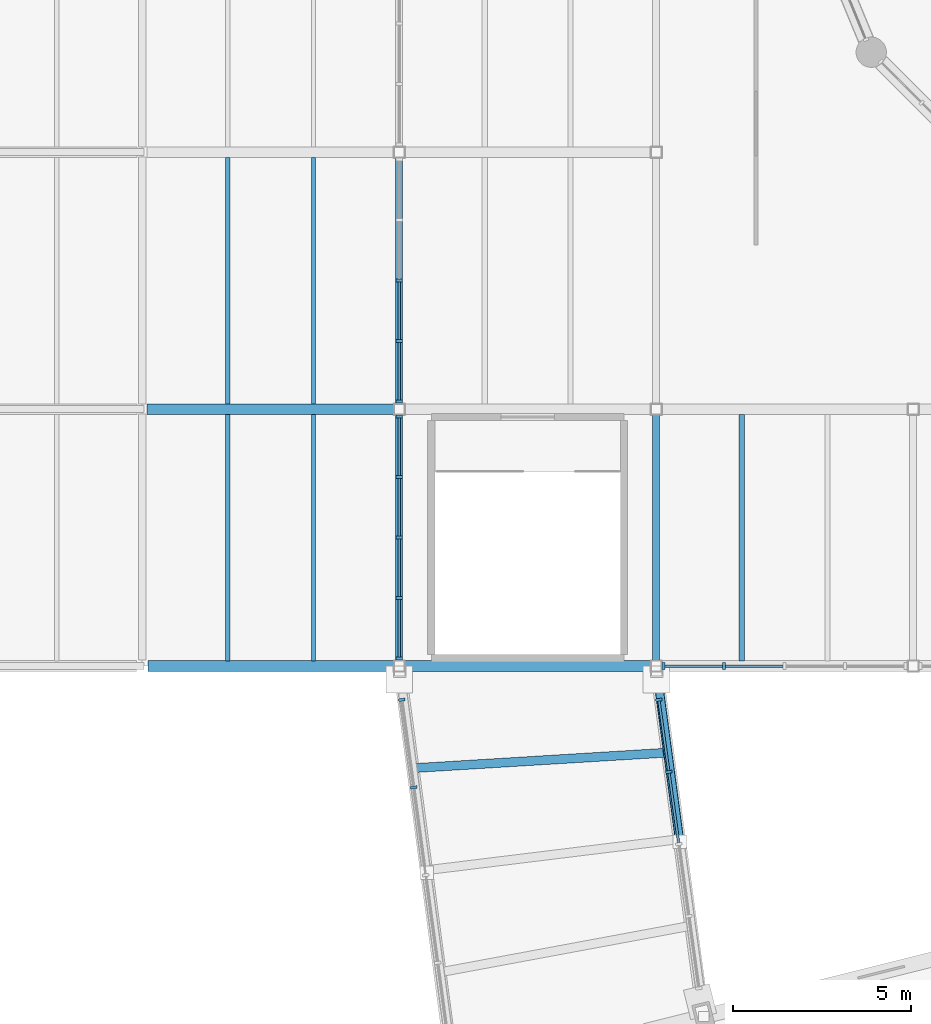
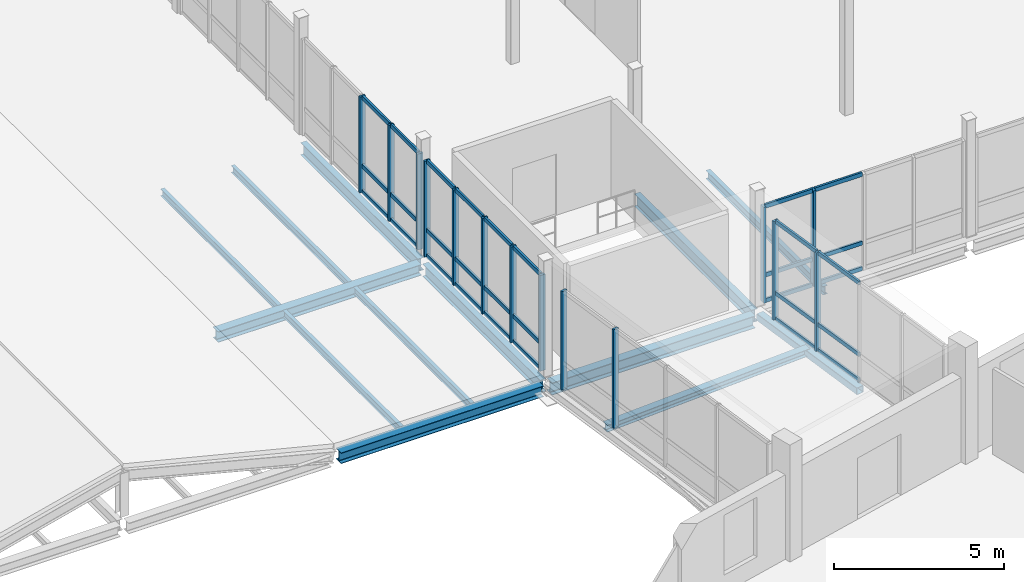
# One storey, part 16 of 63: 45 members, 12 beams, 5 elements without a shape of their own.
"""IFC4 building model written with IfcOpenShell, lengths in metres."""

from ifc_helpers import new_model, si_unit, direction, frame, origin, origin_2d, place, context, subcontext, project, spatial, rectangle, hollow_rectangle, i_section, extrude, material, material_profile, profile_set, type_object, element, aggregate, save


model = new_model("IFC4")

# Units and contexts
model_context = context("Model", 3, precision=1e-05, world=origin(), true_north=direction((0.0, 1.0)))
body_context = subcontext(model_context, "Body", "Model", "MODEL_VIEW")
ifc_project = project(units=[si_unit("LENGTHUNIT", "METRE"), si_unit("AREAUNIT", "SQUARE_METRE"), si_unit("VOLUMEUNIT", "CUBIC_METRE"), si_unit("PLANEANGLEUNIT", "RADIAN"), si_unit("MASSUNIT", "GRAM", prefix="KILO")], contexts=[model_context])

# Site, building, storey
site_placement = place(None, origin())
site = spatial("IfcSite", under=ifc_project, at=site_placement, CompositionType="ELEMENT")
building_placement = place(site_placement, origin())
building = spatial("IfcBuilding", under=site, at=building_placement, Name="Qiaolan Assembly House", CompositionType="ELEMENT")
storey_placement = place(building_placement, frame((0.0, 0.0, 14.39990234375)))
storey = spatial("IfcBuildingStorey", under=building, at=storey_placement, Name="L03", CompositionType="ELEMENT", Elevation=14.39990234375)

# Beams
ifc_material_1 = material(Name="Steel Q355B", Category="steel")
ifc_material_profile_1 = material_profile(ifc_material_1, i_section(OverallWidth=0.25, OverallDepth=0.25, WebThickness=0.009033203125, FlangeThickness=0.013916015625, FilletRadius=0.01611328125, at=origin_2d()), Name="HW 250x250x9x14")
ifc_profile_set_1 = profile_set([ifc_material_profile_1], Name="Steel Q355B")
beam_type_1 = type_object("IfcBeamType", Name="BM-BRIDGE-CROSS-HW250", PredefinedType="BEAM", material=ifc_profile_set_1)
beam_1_placement = place(storey_placement, frame((43.579345703125, 33.1396484375, -0.31494140625), z_axis=(0.998148100011, 0.060830670257, 0.0), x_axis=(-0.060830670257, 0.998148100011, 0.0)))
element("IfcBeam", 1, at=beam_1_placement, inside=storey, type_object=beam_type_1, Name="BGB-02 skybridge cross beam WB L03", PredefinedType="BEAM", context=body_context, shape_type="SweptSolid", body=[
    extrude(i_section(OverallWidth=0.25, OverallDepth=0.25, WebThickness=0.009033203125, FlangeThickness=0.013916015625, FilletRadius=0.01611328125, at=origin_2d()), origin(), (0.0, 0.0, 1.0), 7.159912109375),
])
ifc_material_profile_2 = material_profile(ifc_material_1, i_section(OverallWidth=0.300048828125, OverallDepth=0.389892578125, WebThickness=0.010009765625, FlangeThickness=0.01611328125, FilletRadius=0.01806640625, at=origin_2d()), Name="HM 390x300x10x16")
ifc_profile_set_2 = profile_set([ifc_material_profile_2], Name="Steel Q355B")
beam_type_2 = type_object("IfcBeamType", Name="BM-STL-HM390", PredefinedType="BEAM", material=ifc_profile_set_2)
beam_2_placement = place(storey_placement, frame((36.1650390625, 36.0, -0.494873046875), z_axis=(1.0, 0.0, 0.0), x_axis=(0.0, 1.0, 0.0)))
element("IfcBeam", 2, at=beam_2_placement, inside=storey, type_object=beam_type_2, Name="SB-08 beam BMX-HLWTR-L03-02-00", PredefinedType="BEAM", context=body_context, shape_type="SweptSolid", body=[
    extrude(i_section(OverallWidth=0.300048828125, OverallDepth=0.389892578125, WebThickness=0.010009765625, FlangeThickness=0.01611328125, FilletRadius=0.01806640625, at=origin_2d()), origin(), (0.0, 0.0, 1.0), 6.889892578125),
])
beam_3_placement = place(storey_placement, frame((36.139892578125, 43.199951171875, -0.494873046875), z_axis=(1.0, 0.0, 0.0), x_axis=(0.0, 1.0, 0.0)))
element("IfcBeam", 3, at=beam_3_placement, inside=storey, type_object=beam_type_2, Name="SB-08 beam BMX-HLWTR-L03-02-01", PredefinedType="BEAM", context=body_context, shape_type="SweptSolid", body=[
    extrude(i_section(OverallWidth=0.300048828125, OverallDepth=0.389892578125, WebThickness=0.010009765625, FlangeThickness=0.01611328125, FilletRadius=0.01806640625, at=origin_2d()), origin(), (0.0, 0.0, 1.0), 6.920166015625),
])
ifc_material_profile_3 = material_profile(ifc_material_1, i_section(OverallWidth=0.300048828125, OverallDepth=0.43994140625, WebThickness=0.010986328125, FlangeThickness=0.01806640625, FilletRadius=0.02001953125, at=origin_2d()), Name="HM 440x300x11x18")
ifc_profile_set_3 = profile_set([ifc_material_profile_3], Name="Steel Q355B")
beam_type_3 = type_object("IfcBeamType", Name="BM-STL-HM440", PredefinedType="BEAM", material=ifc_profile_set_3)
beam_4_placement = place(storey_placement, frame((43.344970703125, 36.0, -0.52001953125), z_axis=(1.0, 0.0, 0.0), x_axis=(0.0, 1.0, 0.0)))
element("IfcBeam", 4, at=beam_4_placement, inside=storey, type_object=beam_type_3, Name="SB-06 beam BMX-HLC-L03-00-00", PredefinedType="BEAM", context=body_context, shape_type="SweptSolid", body=[
    extrude(i_section(OverallWidth=0.300048828125, OverallDepth=0.43994140625, WebThickness=0.010986328125, FlangeThickness=0.01806640625, FilletRadius=0.02001953125, at=origin_2d()), origin(), (0.0, 0.0, 1.0), 6.909912109375),
])
ifc_material_profile_4 = material_profile(ifc_material_1, i_section(OverallWidth=0.199951171875, OverallDepth=0.449951171875, WebThickness=0.009033203125, FlangeThickness=0.013916015625, FilletRadius=0.01611328125, at=origin_2d()), Name="HN 450x200x9x14")
ifc_profile_set_4 = profile_set([ifc_material_profile_4], Name="Steel Q355B")
beam_type_4 = type_object("IfcBeamType", Name="BM-STL-HN450", PredefinedType="BEAM", material=ifc_profile_set_4)
beam_5_placement = place(storey_placement, frame((43.199951171875, 36.14501953125, -0.52490234375), z_axis=(0.0, 1.0, 0.0), x_axis=(-1.0, 0.0, 0.0)))
element("IfcBeam", 5, at=beam_5_placement, inside=storey, type_object=beam_type_4, Name="SB-07 beam BMY-HLC-L03-00-00", PredefinedType="BEAM", context=body_context, shape_type="SweptSolid", body=[
    extrude(i_section(OverallWidth=0.199951171875, OverallDepth=0.449951171875, WebThickness=0.009033203125, FlangeThickness=0.013916015625, FilletRadius=0.01611328125, at=origin_2d()), origin(), (0.0, 0.0, 1.0), 6.9150390625),
])
beam_6_placement = place(storey_placement, frame((43.199951171875, 43.340087890625, -0.52490234375), z_axis=(0.0, 1.0, 0.0), x_axis=(-1.0, 0.0, 0.0)))
element("IfcBeam", 6, at=beam_6_placement, inside=storey, type_object=beam_type_4, Name="SB-07 beam BMY-HLC-L03-00-01", PredefinedType="BEAM", context=body_context, shape_type="SweptSolid", body=[
    extrude(i_section(OverallWidth=0.199951171875, OverallDepth=0.449951171875, WebThickness=0.009033203125, FlangeThickness=0.013916015625, FilletRadius=0.01611328125, at=origin_2d()), origin(), (0.0, 0.0, 1.0), 6.919921875),
])
beam_7_placement = place(storey_placement, frame((50.39990234375, 36.14501953125, -0.52490234375), z_axis=(0.0, 1.0, 0.0), x_axis=(-1.0, 0.0, 0.0)))
element("IfcBeam", 7, at=beam_7_placement, inside=storey, type_object=beam_type_4, Name="SB-07 beam BMY-HLC-L03-01-00", PredefinedType="BEAM", context=body_context, shape_type="SweptSolid", body=[
    extrude(i_section(OverallWidth=0.199951171875, OverallDepth=0.449951171875, WebThickness=0.009033203125, FlangeThickness=0.013916015625, FilletRadius=0.01611328125, at=origin_2d()), origin(), (0.0, 0.0, 1.0), 6.9150390625),
])

# Curtain wall, members
ifc_material_2 = material(Name="Anodised bronze aluminium", Category="aluminium")
curtain_wall_type_1 = type_object("IfcCurtainWallType", Name="CW-BRIDGE-420", PredefinedType="NOTDEFINED", material=ifc_material_2)
curtain_wall_1_placement = place(storey_placement, origin())
curtain_wall_1 = element("IfcCurtainWall", 8, at=curtain_wall_1_placement, inside=storey, type_object=curtain_wall_type_1, Name="CW-03 Glazed Skybridge Curtain Wall WB L03 W", PredefinedType="NOTDEFINED")
ifc_material_profile_5 = material_profile(ifc_material_2, rectangle(XDim=0.077880859375, YDim=0.179931640625, at=origin_2d()), Name="MUL 78x180")
ifc_profile_set_5 = profile_set([ifc_material_profile_5], Name="Anodised bronze aluminium")
member_type_1 = type_object("IfcMemberType", Name="CW-BRIDGE-420-MUL", PredefinedType="MULLION", material=ifc_profile_set_5)
member_1_placement = place(storey_placement, frame((43.608642578125, 32.5986328125, 0.0), z_axis=(0.0, 0.0, 1.0), x_axis=(-0.134917653255, 0.990856814499, 0.0)))
member_1 = element("IfcMember", 9, at=member_1_placement, type_object=member_type_1, Name="ML-04 mullion CW-BRIDGE-WB-L03-W-4", PredefinedType="MULLION", context=body_context, shape_type="SweptSolid", body=[
    extrude(rectangle(XDim=0.077880859375, YDim=0.179931640625, at=origin_2d()), origin(), (0.0, 0.0, 1.0), 3.550048828125),
])
member_2_placement = place(storey_placement, frame((43.274169921875, 35.054931640625, 0.0), z_axis=(0.0, 0.0, 1.0), x_axis=(-0.134917653255, 0.990856814499, 0.0)))
member_2 = element("IfcMember", 10, at=member_2_placement, type_object=member_type_1, Name="ML-04 mullion CW-BRIDGE-WB-L03-W-5", PredefinedType="MULLION", context=body_context, shape_type="SweptSolid", body=[
    extrude(rectangle(XDim=0.077880859375, YDim=0.179931640625, at=origin_2d()), origin(), (0.0, 0.0, 1.0), 3.550048828125),
])
aggregate(curtain_wall_1, [member_1, member_2])

curtain_wall_2_placement = place(storey_placement, origin())
curtain_wall_2 = element("IfcCurtainWall", 11, at=curtain_wall_2_placement, inside=storey, type_object=curtain_wall_type_1, Name="CW-03 Glazed Skybridge Curtain Wall WB L03 E", PredefinedType="NOTDEFINED")
member_3_placement = place(storey_placement, frame((50.4755859375, 35.05517578125, 0.0), z_axis=(0.0, 0.0, 1.0), x_axis=(0.137387630004, -0.990517359324, 0.0)))
member_3 = element("IfcMember", 12, at=member_3_placement, type_object=member_type_1, Name="ML-04 mullion CW-BRIDGE-WB-L03-E-1", PredefinedType="MULLION", context=body_context, shape_type="SweptSolid", body=[
    extrude(rectangle(XDim=0.077880859375, YDim=0.179931640625, at=origin_2d()), origin(), (0.0, 0.0, 1.0), 3.550048828125),
])
member_4_placement = place(storey_placement, frame((50.755859375, 33.0341796875, 0.0), z_axis=(0.0, 0.0, 1.0), x_axis=(0.137387630004, -0.990517359324, 0.0)))
member_4 = element("IfcMember", 13, at=member_4_placement, type_object=member_type_1, Name="ML-04 mullion CW-BRIDGE-WB-L03-E-2", PredefinedType="MULLION", context=body_context, shape_type="SweptSolid", body=[
    extrude(rectangle(XDim=0.077880859375, YDim=0.179931640625, at=origin_2d()), origin(), (0.0, 0.0, 1.0), 3.550048828125),
])
ifc_material_profile_6 = material_profile(ifc_material_2, rectangle(XDim=0.068115234375, YDim=0.139892578125, at=origin_2d()), Name="TRN 68x140")
ifc_profile_set_6 = profile_set([ifc_material_profile_6], Name="Anodised bronze aluminium")
member_type_2 = type_object("IfcMemberType", Name="CW-BRIDGE-420-TRN", PredefinedType="USERDEFINED", material=ifc_profile_set_6)
member_5_placement = place(storey_placement, frame((50.48095703125, 35.0166015625, 0.030029296875), z_axis=(0.137361532541, -0.990520978767, 0.0), x_axis=(0.990520978767, 0.137361532541, 0.0)))
member_5 = element("IfcMember", 14, at=member_5_placement, type_object=member_type_2, Name="TR-04 transom CW-BRIDGE-WB-L03-E-1-1", ObjectType="TRANSOM", PredefinedType="USERDEFINED", context=body_context, shape_type="SweptSolid", body=[
    extrude(rectangle(XDim=0.068115234375, YDim=0.139892578125, at=origin_2d()), origin(), (0.0, 0.0, 1.0), 1.962158203125),
])
member_6_placement = place(storey_placement, frame((50.48095703125, 35.0166015625, 0.9501953125), z_axis=(0.137361532541, -0.990520978767, 0.0), x_axis=(0.990520978767, 0.137361532541, 0.0)))
member_6 = element("IfcMember", 15, at=member_6_placement, type_object=member_type_2, Name="TR-04 transom CW-BRIDGE-WB-L03-E-1-2", ObjectType="TRANSOM", PredefinedType="USERDEFINED", context=body_context, shape_type="SweptSolid", body=[
    extrude(rectangle(XDim=0.068115234375, YDim=0.139892578125, at=origin_2d()), origin(), (0.0, 0.0, 1.0), 1.962158203125),
])
member_7_placement = place(storey_placement, frame((50.48095703125, 35.0166015625, 3.52001953125), z_axis=(0.137361532541, -0.990520978767, 0.0), x_axis=(0.990520978767, 0.137361532541, 0.0)))
member_7 = element("IfcMember", 16, at=member_7_placement, type_object=member_type_2, Name="TR-04 transom CW-BRIDGE-WB-L03-E-1-3", ObjectType="TRANSOM", PredefinedType="USERDEFINED", context=body_context, shape_type="SweptSolid", body=[
    extrude(rectangle(XDim=0.068115234375, YDim=0.139892578125, at=origin_2d()), origin(), (0.0, 0.0, 1.0), 1.962158203125),
])
member_8_placement = place(storey_placement, frame((50.76123046875, 32.99560546875, 0.030029296875), z_axis=(0.137344605858, -0.990523325945, 0.0), x_axis=(0.990523325945, 0.137344605858, 0.0)))
member_8 = element("IfcMember", 17, at=member_8_placement, type_object=member_type_2, Name="TR-04 transom CW-BRIDGE-WB-L03-E-2-1", ObjectType="TRANSOM", PredefinedType="USERDEFINED", context=body_context, shape_type="SweptSolid", body=[
    extrude(rectangle(XDim=0.068115234375, YDim=0.139892578125, at=origin_2d()), origin(), (0.0, 0.0, 1.0), 1.96240234375),
])
member_9_placement = place(storey_placement, frame((50.76123046875, 32.99560546875, 0.9501953125), z_axis=(0.137344605858, -0.990523325945, 0.0), x_axis=(0.990523325945, 0.137344605858, 0.0)))
member_9 = element("IfcMember", 18, at=member_9_placement, type_object=member_type_2, Name="TR-04 transom CW-BRIDGE-WB-L03-E-2-2", ObjectType="TRANSOM", PredefinedType="USERDEFINED", context=body_context, shape_type="SweptSolid", body=[
    extrude(rectangle(XDim=0.068115234375, YDim=0.139892578125, at=origin_2d()), origin(), (0.0, 0.0, 1.0), 1.96240234375),
])
member_10_placement = place(storey_placement, frame((50.76123046875, 32.99560546875, 3.52001953125), z_axis=(0.137344605858, -0.990523325945, 0.0), x_axis=(0.990523325945, 0.137344605858, 0.0)))
member_10 = element("IfcMember", 19, at=member_10_placement, type_object=member_type_2, Name="TR-04 transom CW-BRIDGE-WB-L03-E-2-3", ObjectType="TRANSOM", PredefinedType="USERDEFINED", context=body_context, shape_type="SweptSolid", body=[
    extrude(rectangle(XDim=0.068115234375, YDim=0.139892578125, at=origin_2d()), origin(), (0.0, 0.0, 1.0), 1.96240234375),
])
aggregate(curtain_wall_2, [member_3, member_4, member_5, member_6, member_7, member_8, member_9, member_10])

curtain_wall_type_2 = type_object("IfcCurtainWallType", Name="CW-HALL-CONC-420", PredefinedType="NOTDEFINED", material=ifc_material_2)
curtain_wall_3_placement = place(storey_placement, origin())
curtain_wall_3 = element("IfcCurtainWall", 20, at=curtain_wall_3_placement, inside=storey, type_object=curtain_wall_type_2, Name="CW-07 L03 Concourse South CW 2", PredefinedType="NOTDEFINED")
ifc_material_profile_7 = material_profile(ifc_material_2, rectangle(XDim=0.08203125, YDim=0.18994140625, at=origin_2d()), Name="MUL 82x190")
ifc_profile_set_7 = profile_set([ifc_material_profile_7], Name="Anodised bronze aluminium")
member_type_3 = type_object("IfcMemberType", Name="CW-HALL-CONC-420-MUL", PredefinedType="MULLION", material=ifc_profile_set_7)
member_11_placement = place(storey_placement, frame((50.610107421875, 36.0, 0.0), z_axis=(0.0, 0.0, 1.0), x_axis=(1.0, 0.0, 0.0)))
member_11 = element("IfcMember", 21, at=member_11_placement, type_object=member_type_3, Name="ML-03 mullion CW-HLC-S-01-1", PredefinedType="MULLION", context=body_context, shape_type="SweptSolid", body=[
    extrude(rectangle(XDim=0.08203125, YDim=0.18994140625, at=origin_2d()), origin(), (0.0, 0.0, 1.0), 3.4501953125),
])
member_12_placement = place(storey_placement, frame((52.304931640625, 36.0, 0.0), z_axis=(0.0, 0.0, 1.0), x_axis=(1.0, 0.0, 0.0)))
member_12 = element("IfcMember", 22, at=member_12_placement, type_object=member_type_3, Name="ML-03 mullion CW-HLC-S-01-2", PredefinedType="MULLION", context=body_context, shape_type="SweptSolid", body=[
    extrude(rectangle(XDim=0.08203125, YDim=0.18994140625, at=origin_2d()), origin(), (0.0, 0.0, 1.0), 3.4501953125),
])

curtain_wall_4_placement = place(storey_placement, origin())
curtain_wall_4 = element("IfcCurtainWall", 23, at=curtain_wall_4_placement, inside=storey, type_object=curtain_wall_type_2, Name="CW-07 L03 Concourse West CW 1", PredefinedType="NOTDEFINED")
member_13_placement = place(storey_placement, frame((43.199951171875, 36.2099609375, 0.0), z_axis=(0.0, 0.0, 1.0), x_axis=(0.0, 1.0, 0.0)))
member_13 = element("IfcMember", 24, at=member_13_placement, type_object=member_type_3, Name="ML-03 mullion CW-HLC-W-00-1", PredefinedType="MULLION", context=body_context, shape_type="SweptSolid", body=[
    extrude(rectangle(XDim=0.08203125, YDim=0.18994140625, at=origin_2d()), origin(), (0.0, 0.0, 1.0), 3.4501953125),
])
member_14_placement = place(storey_placement, frame((43.199951171875, 37.905029296875, 0.0), z_axis=(0.0, 0.0, 1.0), x_axis=(0.0, 1.0, 0.0)))
member_14 = element("IfcMember", 25, at=member_14_placement, type_object=member_type_3, Name="ML-03 mullion CW-HLC-W-00-2", PredefinedType="MULLION", context=body_context, shape_type="SweptSolid", body=[
    extrude(rectangle(XDim=0.08203125, YDim=0.18994140625, at=origin_2d()), origin(), (0.0, 0.0, 1.0), 3.4501953125),
])
member_15_placement = place(storey_placement, frame((43.199951171875, 39.60009765625, 0.0), z_axis=(0.0, 0.0, 1.0), x_axis=(0.0, 1.0, 0.0)))
member_15 = element("IfcMember", 26, at=member_15_placement, type_object=member_type_3, Name="ML-03 mullion CW-HLC-W-00-3", PredefinedType="MULLION", context=body_context, shape_type="SweptSolid", body=[
    extrude(rectangle(XDim=0.08203125, YDim=0.18994140625, at=origin_2d()), origin(), (0.0, 0.0, 1.0), 3.4501953125),
])
member_16_placement = place(storey_placement, frame((43.199951171875, 41.294921875, 0.0), z_axis=(0.0, 0.0, 1.0), x_axis=(0.0, 1.0, 0.0)))
member_16 = element("IfcMember", 27, at=member_16_placement, type_object=member_type_3, Name="ML-03 mullion CW-HLC-W-00-4", PredefinedType="MULLION", context=body_context, shape_type="SweptSolid", body=[
    extrude(rectangle(XDim=0.08203125, YDim=0.18994140625, at=origin_2d()), origin(), (0.0, 0.0, 1.0), 3.4501953125),
])
member_17_placement = place(storey_placement, frame((43.199951171875, 42.989990234375, 0.0), z_axis=(0.0, 0.0, 1.0), x_axis=(0.0, 1.0, 0.0)))
member_17 = element("IfcMember", 28, at=member_17_placement, type_object=member_type_3, Name="ML-03 mullion CW-HLC-W-00-5", PredefinedType="MULLION", context=body_context, shape_type="SweptSolid", body=[
    extrude(rectangle(XDim=0.08203125, YDim=0.18994140625, at=origin_2d()), origin(), (0.0, 0.0, 1.0), 3.4501953125),
])

curtain_wall_5_placement = place(storey_placement, origin())
curtain_wall_5 = element("IfcCurtainWall", 29, at=curtain_wall_5_placement, inside=storey, type_object=curtain_wall_type_2, Name="CW-07 L03 Concourse West CW 2", PredefinedType="NOTDEFINED")
member_18_placement = place(storey_placement, frame((43.199951171875, 43.409912109375, 0.0), z_axis=(0.0, 0.0, 1.0), x_axis=(0.0, 1.0, 0.0)))
member_18 = element("IfcMember", 30, at=member_18_placement, type_object=member_type_3, Name="ML-03 mullion CW-HLC-W-01-1", PredefinedType="MULLION", context=body_context, shape_type="SweptSolid", body=[
    extrude(rectangle(XDim=0.08203125, YDim=0.18994140625, at=origin_2d()), origin(), (0.0, 0.0, 1.0), 3.4501953125),
])
member_19_placement = place(storey_placement, frame((43.199951171875, 45.10498046875, 0.0), z_axis=(0.0, 0.0, 1.0), x_axis=(0.0, 1.0, 0.0)))
member_19 = element("IfcMember", 31, at=member_19_placement, type_object=member_type_3, Name="ML-03 mullion CW-HLC-W-01-2", PredefinedType="MULLION", context=body_context, shape_type="SweptSolid", body=[
    extrude(rectangle(XDim=0.08203125, YDim=0.18994140625, at=origin_2d()), origin(), (0.0, 0.0, 1.0), 3.4501953125),
])
member_20_placement = place(storey_placement, frame((43.199951171875, 46.800048828125, 0.0), z_axis=(0.0, 0.0, 1.0), x_axis=(0.0, 1.0, 0.0)))
member_20 = element("IfcMember", 32, at=member_20_placement, type_object=member_type_3, Name="ML-03 mullion CW-HLC-W-01-3", PredefinedType="MULLION", context=body_context, shape_type="SweptSolid", body=[
    extrude(rectangle(XDim=0.08203125, YDim=0.18994140625, at=origin_2d()), origin(), (0.0, 0.0, 1.0), 3.4501953125),
])

# Member
ifc_material_profile_8 = material_profile(ifc_material_2, rectangle(XDim=0.072021484375, YDim=0.14501953125, at=origin_2d()), Name="TRN 72x145")
ifc_profile_set_8 = profile_set([ifc_material_profile_8], Name="Anodised bronze aluminium")
member_type_4 = type_object("IfcMemberType", Name="CW-HALL-CONC-420-TRN", PredefinedType="USERDEFINED", material=ifc_profile_set_8)
member_21_placement = place(storey_placement, frame((50.65087890625, 36.0, 0.030029296875), z_axis=(1.0, 0.0, 0.0), x_axis=(0.0, 1.0, 0.0)))
member_21 = element("IfcMember", 33, at=member_21_placement, type_object=member_type_4, Name="TR-03 transom CW-HLC-S-01-1-1", ObjectType="TRANSOM", PredefinedType="USERDEFINED", context=body_context, shape_type="SweptSolid", body=[
    extrude(rectangle(XDim=0.072021484375, YDim=0.14501953125, at=origin_2d()), origin(), (0.0, 0.0, 1.0), 1.613037109375),
])

member_22_placement = place(storey_placement, frame((50.65087890625, 36.0, 0.9501953125), z_axis=(1.0, 0.0, 0.0), x_axis=(0.0, 1.0, 0.0)))
member_22 = element("IfcMember", 34, at=member_22_placement, type_object=member_type_4, Name="TR-03 transom CW-HLC-S-01-1-2", ObjectType="TRANSOM", PredefinedType="USERDEFINED", context=body_context, shape_type="SweptSolid", body=[
    extrude(rectangle(XDim=0.072021484375, YDim=0.14501953125, at=origin_2d()), origin(), (0.0, 0.0, 1.0), 1.613037109375),
])

member_23_placement = place(storey_placement, frame((50.65087890625, 36.0, 3.420166015625), z_axis=(1.0, 0.0, 0.0), x_axis=(0.0, 1.0, 0.0)))
member_23 = element("IfcMember", 35, at=member_23_placement, type_object=member_type_4, Name="TR-03 transom CW-HLC-S-01-1-3", ObjectType="TRANSOM", PredefinedType="USERDEFINED", context=body_context, shape_type="SweptSolid", body=[
    extrude(rectangle(XDim=0.072021484375, YDim=0.14501953125, at=origin_2d()), origin(), (0.0, 0.0, 1.0), 1.613037109375),
])

member_24_placement = place(storey_placement, frame((52.345947265625, 36.0, 0.030029296875), z_axis=(1.0, 0.0, 0.0), x_axis=(0.0, 1.0, 0.0)))
member_24 = element("IfcMember", 36, at=member_24_placement, type_object=member_type_4, Name="TR-03 transom CW-HLC-S-01-2-1", ObjectType="TRANSOM", PredefinedType="USERDEFINED", context=body_context, shape_type="SweptSolid", body=[
    extrude(rectangle(XDim=0.072021484375, YDim=0.14501953125, at=origin_2d()), origin(), (0.0, 0.0, 1.0), 1.613037109375),
])

member_25_placement = place(storey_placement, frame((52.345947265625, 36.0, 0.9501953125), z_axis=(1.0, 0.0, 0.0), x_axis=(0.0, 1.0, 0.0)))
member_25 = element("IfcMember", 37, at=member_25_placement, type_object=member_type_4, Name="TR-03 transom CW-HLC-S-01-2-2", ObjectType="TRANSOM", PredefinedType="USERDEFINED", context=body_context, shape_type="SweptSolid", body=[
    extrude(rectangle(XDim=0.072021484375, YDim=0.14501953125, at=origin_2d()), origin(), (0.0, 0.0, 1.0), 1.613037109375),
])

member_26_placement = place(storey_placement, frame((52.345947265625, 36.0, 3.420166015625), z_axis=(1.0, 0.0, 0.0), x_axis=(0.0, 1.0, 0.0)))
member_26 = element("IfcMember", 38, at=member_26_placement, type_object=member_type_4, Name="TR-03 transom CW-HLC-S-01-2-3", ObjectType="TRANSOM", PredefinedType="USERDEFINED", context=body_context, shape_type="SweptSolid", body=[
    extrude(rectangle(XDim=0.072021484375, YDim=0.14501953125, at=origin_2d()), origin(), (0.0, 0.0, 1.0), 1.613037109375),
])

aggregate(curtain_wall_3, [member_11, member_12, member_21, member_22, member_23, member_24, member_25, member_26])

member_27_placement = place(storey_placement, frame((43.199951171875, 36.2509765625, 0.030029296875), z_axis=(0.0, 1.0, 0.0), x_axis=(-1.0, 0.0, 0.0)))
member_27 = element("IfcMember", 39, at=member_27_placement, type_object=member_type_4, Name="TR-03 transom CW-HLC-W-00-1-1", ObjectType="TRANSOM", PredefinedType="USERDEFINED", context=body_context, shape_type="SweptSolid", body=[
    extrude(rectangle(XDim=0.072021484375, YDim=0.14501953125, at=origin_2d()), origin(), (0.0, 0.0, 1.0), 1.613037109375),
])

member_28_placement = place(storey_placement, frame((43.199951171875, 36.2509765625, 0.9501953125), z_axis=(0.0, 1.0, 0.0), x_axis=(-1.0, 0.0, 0.0)))
member_28 = element("IfcMember", 40, at=member_28_placement, type_object=member_type_4, Name="TR-03 transom CW-HLC-W-00-1-2", ObjectType="TRANSOM", PredefinedType="USERDEFINED", context=body_context, shape_type="SweptSolid", body=[
    extrude(rectangle(XDim=0.072021484375, YDim=0.14501953125, at=origin_2d()), origin(), (0.0, 0.0, 1.0), 1.613037109375),
])

member_29_placement = place(storey_placement, frame((43.199951171875, 36.2509765625, 3.420166015625), z_axis=(0.0, 1.0, 0.0), x_axis=(-1.0, 0.0, 0.0)))
member_29 = element("IfcMember", 41, at=member_29_placement, type_object=member_type_4, Name="TR-03 transom CW-HLC-W-00-1-3", ObjectType="TRANSOM", PredefinedType="USERDEFINED", context=body_context, shape_type="SweptSolid", body=[
    extrude(rectangle(XDim=0.072021484375, YDim=0.14501953125, at=origin_2d()), origin(), (0.0, 0.0, 1.0), 1.613037109375),
])

member_30_placement = place(storey_placement, frame((43.199951171875, 37.946044921875, 0.030029296875), z_axis=(0.0, 1.0, 0.0), x_axis=(-1.0, 0.0, 0.0)))
member_30 = element("IfcMember", 42, at=member_30_placement, type_object=member_type_4, Name="TR-03 transom CW-HLC-W-00-2-1", ObjectType="TRANSOM", PredefinedType="USERDEFINED", context=body_context, shape_type="SweptSolid", body=[
    extrude(rectangle(XDim=0.072021484375, YDim=0.14501953125, at=origin_2d()), origin(), (0.0, 0.0, 1.0), 1.613037109375),
])

member_31_placement = place(storey_placement, frame((43.199951171875, 37.946044921875, 0.9501953125), z_axis=(0.0, 1.0, 0.0), x_axis=(-1.0, 0.0, 0.0)))
member_31 = element("IfcMember", 43, at=member_31_placement, type_object=member_type_4, Name="TR-03 transom CW-HLC-W-00-2-2", ObjectType="TRANSOM", PredefinedType="USERDEFINED", context=body_context, shape_type="SweptSolid", body=[
    extrude(rectangle(XDim=0.072021484375, YDim=0.14501953125, at=origin_2d()), origin(), (0.0, 0.0, 1.0), 1.613037109375),
])

member_32_placement = place(storey_placement, frame((43.199951171875, 37.946044921875, 3.420166015625), z_axis=(0.0, 1.0, 0.0), x_axis=(-1.0, 0.0, 0.0)))
member_32 = element("IfcMember", 44, at=member_32_placement, type_object=member_type_4, Name="TR-03 transom CW-HLC-W-00-2-3", ObjectType="TRANSOM", PredefinedType="USERDEFINED", context=body_context, shape_type="SweptSolid", body=[
    extrude(rectangle(XDim=0.072021484375, YDim=0.14501953125, at=origin_2d()), origin(), (0.0, 0.0, 1.0), 1.613037109375),
])

member_33_placement = place(storey_placement, frame((43.199951171875, 39.64111328125, 0.030029296875), z_axis=(0.0, 1.0, 0.0), x_axis=(-1.0, 0.0, 0.0)))
member_33 = element("IfcMember", 45, at=member_33_placement, type_object=member_type_4, Name="TR-03 transom CW-HLC-W-00-3-1", ObjectType="TRANSOM", PredefinedType="USERDEFINED", context=body_context, shape_type="SweptSolid", body=[
    extrude(rectangle(XDim=0.072021484375, YDim=0.14501953125, at=origin_2d()), origin(), (0.0, 0.0, 1.0), 1.61279296875),
])

member_34_placement = place(storey_placement, frame((43.199951171875, 39.64111328125, 0.9501953125), z_axis=(0.0, 1.0, 0.0), x_axis=(-1.0, 0.0, 0.0)))
member_34 = element("IfcMember", 46, at=member_34_placement, type_object=member_type_4, Name="TR-03 transom CW-HLC-W-00-3-2", ObjectType="TRANSOM", PredefinedType="USERDEFINED", context=body_context, shape_type="SweptSolid", body=[
    extrude(rectangle(XDim=0.072021484375, YDim=0.14501953125, at=origin_2d()), origin(), (0.0, 0.0, 1.0), 1.61279296875),
])

member_35_placement = place(storey_placement, frame((43.199951171875, 39.64111328125, 3.420166015625), z_axis=(0.0, 1.0, 0.0), x_axis=(-1.0, 0.0, 0.0)))
member_35 = element("IfcMember", 47, at=member_35_placement, type_object=member_type_4, Name="TR-03 transom CW-HLC-W-00-3-3", ObjectType="TRANSOM", PredefinedType="USERDEFINED", context=body_context, shape_type="SweptSolid", body=[
    extrude(rectangle(XDim=0.072021484375, YDim=0.14501953125, at=origin_2d()), origin(), (0.0, 0.0, 1.0), 1.61279296875),
])

member_36_placement = place(storey_placement, frame((43.199951171875, 41.3359375, 0.030029296875), z_axis=(0.0, 1.0, 0.0), x_axis=(-1.0, 0.0, 0.0)))
member_36 = element("IfcMember", 48, at=member_36_placement, type_object=member_type_4, Name="TR-03 transom CW-HLC-W-00-4-1", ObjectType="TRANSOM", PredefinedType="USERDEFINED", context=body_context, shape_type="SweptSolid", body=[
    extrude(rectangle(XDim=0.072021484375, YDim=0.14501953125, at=origin_2d()), origin(), (0.0, 0.0, 1.0), 1.613037109375),
])

member_37_placement = place(storey_placement, frame((43.199951171875, 41.3359375, 0.9501953125), z_axis=(0.0, 1.0, 0.0), x_axis=(-1.0, 0.0, 0.0)))
member_37 = element("IfcMember", 49, at=member_37_placement, type_object=member_type_4, Name="TR-03 transom CW-HLC-W-00-4-2", ObjectType="TRANSOM", PredefinedType="USERDEFINED", context=body_context, shape_type="SweptSolid", body=[
    extrude(rectangle(XDim=0.072021484375, YDim=0.14501953125, at=origin_2d()), origin(), (0.0, 0.0, 1.0), 1.613037109375),
])

member_38_placement = place(storey_placement, frame((43.199951171875, 41.3359375, 3.420166015625), z_axis=(0.0, 1.0, 0.0), x_axis=(-1.0, 0.0, 0.0)))
member_38 = element("IfcMember", 50, at=member_38_placement, type_object=member_type_4, Name="TR-03 transom CW-HLC-W-00-4-3", ObjectType="TRANSOM", PredefinedType="USERDEFINED", context=body_context, shape_type="SweptSolid", body=[
    extrude(rectangle(XDim=0.072021484375, YDim=0.14501953125, at=origin_2d()), origin(), (0.0, 0.0, 1.0), 1.613037109375),
])

aggregate(curtain_wall_4, [member_13, member_14, member_15, member_16, member_17, member_27, member_28, member_29, member_30, member_31, member_32, member_33, member_34, member_35, member_36, member_37, member_38])

member_39_placement = place(storey_placement, frame((43.199951171875, 43.450927734375, 0.030029296875), z_axis=(0.0, 1.0, 0.0), x_axis=(-1.0, 0.0, 0.0)))
member_39 = element("IfcMember", 51, at=member_39_placement, type_object=member_type_4, Name="TR-03 transom CW-HLC-W-01-1-1", ObjectType="TRANSOM", PredefinedType="USERDEFINED", context=body_context, shape_type="SweptSolid", body=[
    extrude(rectangle(XDim=0.072021484375, YDim=0.14501953125, at=origin_2d()), origin(), (0.0, 0.0, 1.0), 1.613037109375),
])

member_40_placement = place(storey_placement, frame((43.199951171875, 43.450927734375, 0.9501953125), z_axis=(0.0, 1.0, 0.0), x_axis=(-1.0, 0.0, 0.0)))
member_40 = element("IfcMember", 52, at=member_40_placement, type_object=member_type_4, Name="TR-03 transom CW-HLC-W-01-1-2", ObjectType="TRANSOM", PredefinedType="USERDEFINED", context=body_context, shape_type="SweptSolid", body=[
    extrude(rectangle(XDim=0.072021484375, YDim=0.14501953125, at=origin_2d()), origin(), (0.0, 0.0, 1.0), 1.613037109375),
])

member_41_placement = place(storey_placement, frame((43.199951171875, 43.450927734375, 3.420166015625), z_axis=(0.0, 1.0, 0.0), x_axis=(-1.0, 0.0, 0.0)))
member_41 = element("IfcMember", 53, at=member_41_placement, type_object=member_type_4, Name="TR-03 transom CW-HLC-W-01-1-3", ObjectType="TRANSOM", PredefinedType="USERDEFINED", context=body_context, shape_type="SweptSolid", body=[
    extrude(rectangle(XDim=0.072021484375, YDim=0.14501953125, at=origin_2d()), origin(), (0.0, 0.0, 1.0), 1.613037109375),
])

member_42_placement = place(storey_placement, frame((43.199951171875, 45.14599609375, 0.030029296875), z_axis=(0.0, 1.0, 0.0), x_axis=(-1.0, 0.0, 0.0)))
member_42 = element("IfcMember", 54, at=member_42_placement, type_object=member_type_4, Name="TR-03 transom CW-HLC-W-01-2-1", ObjectType="TRANSOM", PredefinedType="USERDEFINED", context=body_context, shape_type="SweptSolid", body=[
    extrude(rectangle(XDim=0.072021484375, YDim=0.14501953125, at=origin_2d()), origin(), (0.0, 0.0, 1.0), 1.613037109375),
])

member_43_placement = place(storey_placement, frame((43.199951171875, 45.14599609375, 0.9501953125), z_axis=(0.0, 1.0, 0.0), x_axis=(-1.0, 0.0, 0.0)))
member_43 = element("IfcMember", 55, at=member_43_placement, type_object=member_type_4, Name="TR-03 transom CW-HLC-W-01-2-2", ObjectType="TRANSOM", PredefinedType="USERDEFINED", context=body_context, shape_type="SweptSolid", body=[
    extrude(rectangle(XDim=0.072021484375, YDim=0.14501953125, at=origin_2d()), origin(), (0.0, 0.0, 1.0), 1.613037109375),
])

member_44_placement = place(storey_placement, frame((43.199951171875, 45.14599609375, 3.420166015625), z_axis=(0.0, 1.0, 0.0), x_axis=(-1.0, 0.0, 0.0)))
member_44 = element("IfcMember", 56, at=member_44_placement, type_object=member_type_4, Name="TR-03 transom CW-HLC-W-01-2-3", ObjectType="TRANSOM", PredefinedType="USERDEFINED", context=body_context, shape_type="SweptSolid", body=[
    extrude(rectangle(XDim=0.072021484375, YDim=0.14501953125, at=origin_2d()), origin(), (0.0, 0.0, 1.0), 1.613037109375),
])

aggregate(curtain_wall_5, [member_18, member_19, member_20, member_39, member_40, member_41, member_42, member_43, member_44])

# Beams
ifc_material_profile_9 = material_profile(ifc_material_1, i_section(OverallWidth=0.125, OverallDepth=0.25, WebThickness=0.006103515625, FlangeThickness=0.009033203125, FilletRadius=0.011962890625, at=origin_2d()), Name="HN 250x125x6x9")
ifc_profile_set_9 = profile_set([ifc_material_profile_9], Name="Steel Q355B")
beam_type_5 = type_object("IfcBeamType", Name="JST-STL-HN250", PredefinedType="JOIST", material=ifc_profile_set_9)
for number, where, z_axis, x_axis, name in (
    (57, (38.39990234375, 36.14404296875, -0.4248046875), (0.0, 1.0, 0.0), (-1.0, 0.0, 0.0), "SJ-03 beam JST-HLWTR-L03-02-00-1"),
    (58, (40.800048828125, 36.14404296875, -0.4248046875), (0.0, 1.0, 0.0), (-1.0, 0.0, 0.0), "SJ-03 beam JST-HLWTR-L03-02-00-2"),
):
    element("IfcBeam", number, at=place(storey_placement, frame(where, z_axis=z_axis, x_axis=x_axis)), inside=storey, type_object=beam_type_5, Name=name, PredefinedType="JOIST", context=body_context, shape_type="SweptSolid", body=[
        extrude(i_section(OverallWidth=0.125, OverallDepth=0.25, WebThickness=0.006103515625, FlangeThickness=0.009033203125, FilletRadius=0.011962890625, at=origin_2d()), origin(), (0.0, 0.0, 1.0), 6.911865234375),
    ])
for number, where, z_axis, x_axis, name in (
    (59, (38.39990234375, 43.343994140625, -0.4248046875), (0.0, 1.0, 0.0), (-1.0, 0.0, 0.0), "SJ-03 beam JST-HLWTR-L03-02-01-1"),
    (60, (40.800048828125, 43.343994140625, -0.4248046875), (0.0, 1.0, 0.0), (-1.0, 0.0, 0.0), "SJ-03 beam JST-HLWTR-L03-02-01-2"),
):
    element("IfcBeam", number, at=place(storey_placement, frame(where, z_axis=z_axis, x_axis=x_axis)), inside=storey, type_object=beam_type_5, Name=name, PredefinedType="JOIST", context=body_context, shape_type="SweptSolid", body=[
        extrude(i_section(OverallWidth=0.125, OverallDepth=0.25, WebThickness=0.006103515625, FlangeThickness=0.009033203125, FilletRadius=0.011962890625, at=origin_2d()), origin(), (0.0, 0.0, 1.0), 6.912109375),
    ])
ifc_material_profile_10 = material_profile(ifc_material_1, i_section(OverallWidth=0.14990234375, OverallDepth=0.300048828125, WebThickness=0.006591796875, FlangeThickness=0.009033203125, FilletRadius=0.012939453125, at=origin_2d()), Name="HN 300x150x6.5x9")
ifc_profile_set_10 = profile_set([ifc_material_profile_10], Name="Steel Q355B")
beam_type_6 = type_object("IfcBeamType", Name="JST-STL-HN300", PredefinedType="JOIST", material=ifc_profile_set_10)
beam_8_placement = place(storey_placement, frame((52.800048828125, 36.14404296875, -0.449951171875), z_axis=(0.0, 1.0, 0.0), x_axis=(-1.0, 0.0, 0.0)))
element("IfcBeam", 61, at=beam_8_placement, inside=storey, type_object=beam_type_6, Name="SJ-02 beam JST-HLC-L03-01-00-1", PredefinedType="JOIST", context=body_context, shape_type="SweptSolid", body=[
    extrude(i_section(OverallWidth=0.14990234375, OverallDepth=0.300048828125, WebThickness=0.006591796875, FlangeThickness=0.009033203125, FilletRadius=0.012939453125, at=origin_2d()), origin(), (0.0, 0.0, 1.0), 6.911865234375),
])

# Member
ifc_material_profile_11 = material_profile(ifc_material_1, hollow_rectangle(XDim=0.25, YDim=0.25, WallThickness=0.010009765625, InnerFilletRadius=0.010009765625, OuterFilletRadius=0.02001953125, at=origin_2d()), Name="SHS 250x250x10")
ifc_profile_set_11 = profile_set([ifc_material_profile_11], Name="Steel Q355B")
member_type_5 = type_object("IfcMemberType", Name="MBR-BRACE-BRIDGE-SHS250", PredefinedType="BRACE", material=ifc_profile_set_11)
member_45_placement = place(storey_placement, frame((51.061279296875, 31.080810546875, -0.364990234375), z_axis=(-0.133217934411, 0.991086768124, 0.0), x_axis=(-0.991086768124, -0.133217934411, 0.0)))
element("IfcMember", 62, at=member_45_placement, inside=storey, type_object=member_type_5, Name="BR-03 skybridge brace WB L03", PredefinedType="BRACE", context=body_context, shape_type="SweptSolid", body=[
    extrude(hollow_rectangle(XDim=0.25, YDim=0.25, WallThickness=0.010009765625, InnerFilletRadius=0.010009765625, OuterFilletRadius=0.02001953125, at=origin_2d()), origin(), (0.0, 0.0, 1.0), 4.823486328125),
])

save(model, "model.ifc")
